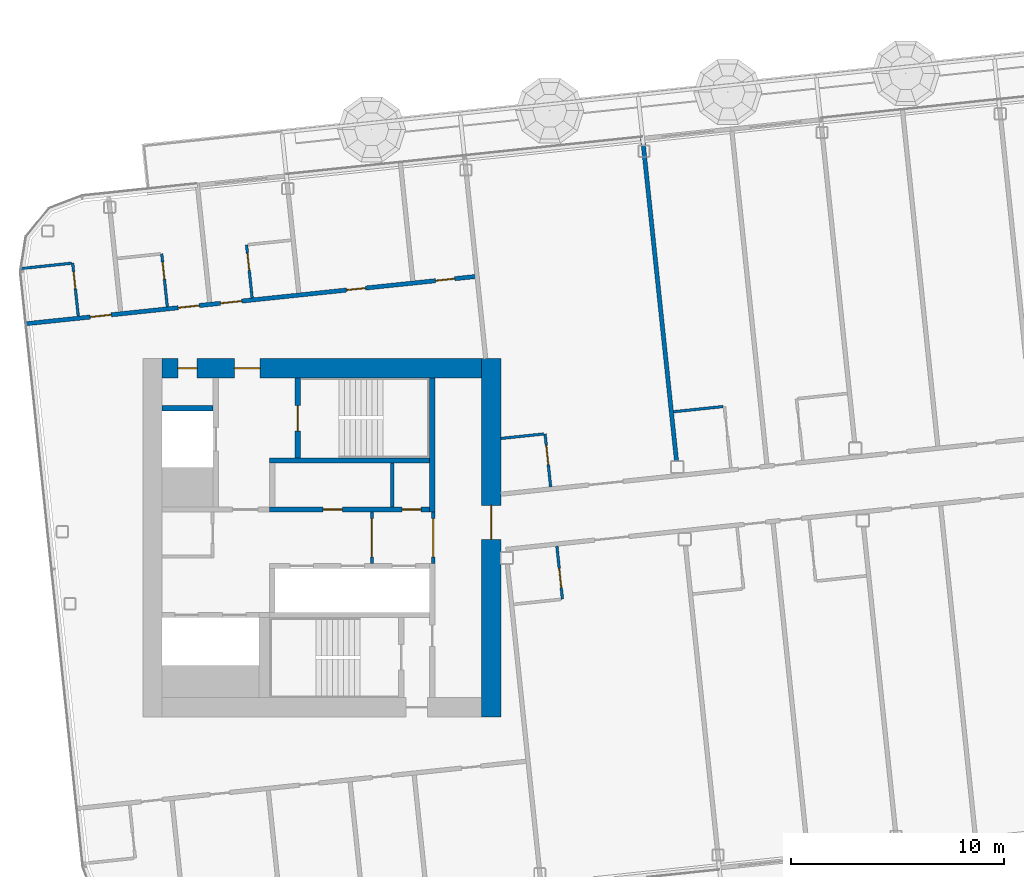
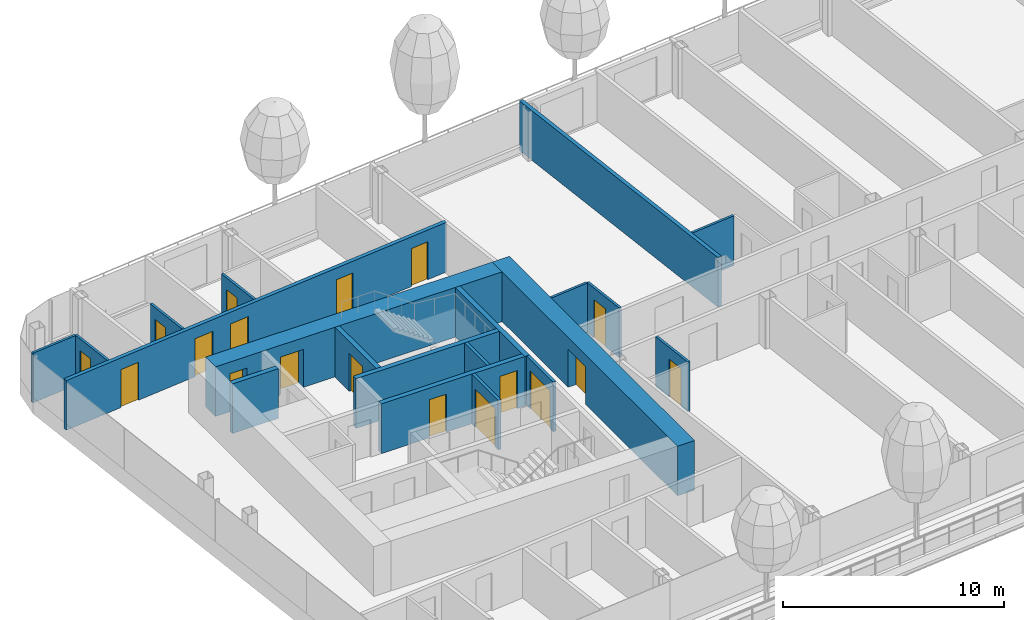
# One storey, part 13 of 30: 20 walls, 18 doors, 18 openings.
"""IFC4 building model written with IfcOpenShell, lengths in metres."""

from ifc_helpers import new_model, si_unit, direction, frame, frame_2d, origin, place, context, subcontext, project, spatial, rectangle, extrude, material, layer, layer_set, type_object, element, fill, save


model = new_model("IFC4")

# Units and contexts
model_context = context("Model", 3, precision=1e-05, world=origin(), true_north=direction((0.0, 1.0)))
body_context = subcontext(model_context, "Body", "Model", "MODEL_VIEW")
ifc_project = project(units=[si_unit("LENGTHUNIT", "METRE"), si_unit("AREAUNIT", "SQUARE_METRE"), si_unit("VOLUMEUNIT", "CUBIC_METRE"), si_unit("PLANEANGLEUNIT", "RADIAN"), si_unit("MASSUNIT", "GRAM", prefix="KILO")], contexts=[model_context])

# Site, building, storey
site_placement = place(None, origin())
site = spatial("IfcSite", under=ifc_project, at=site_placement, CompositionType="ELEMENT")
building_placement = place(site_placement, origin())
building = spatial("IfcBuilding", under=site, at=building_placement, Name="Hakoniwa Tower and Hamabe Station Hall", CompositionType="ELEMENT")
storey_placement = place(building_placement, frame((0.0, 0.0, 245.39990234375)))
storey = spatial("IfcBuildingStorey", under=building, at=storey_placement, Name="L69", CompositionType="ELEMENT", Elevation=245.39990234375)

# Walls
ifc_material_1 = material(Name="Gypsum board partition", Category="gypsum")
ifc_layer_1 = layer(ifc_material_1, 0.125)
ifc_layer_set_1 = layer_set([ifc_layer_1], Name="Bathroom Partition 125")
wall_type_1 = type_object("IfcWallType", Name="Bathroom Partition 125", PredefinedType="PARTITIONING", material=ifc_layer_set_1)
wall_1_placement = place(storey_placement, frame((-8.7041015625, 5.908935546875, 0.0), z_axis=(0.0, 0.0, 1.0), x_axis=(0.994530605544, 0.104445558238, 0.0)))
element("IfcWall", 1, at=wall_1_placement, inside=storey, type_object=wall_type_1, Name="GW-L69-011", PredefinedType="PARTITIONING", context=body_context, shape_type="SweptSolid", body=[
    extrude(rectangle(XDim=2.33740234375, YDim=0.125, at=frame_2d((1.168701171875, 0.0))), origin(), (0.0, 0.0, 1.0), 2.75),
])
wall_2_placement = place(storey_placement, frame((-39.336181640625, 12.62353515625, 0.0), z_axis=(0.0, 0.0, 1.0), x_axis=(0.994528281662, 0.104467683877, 0.0)))
element("IfcWall", 2, at=wall_2_placement, inside=storey, type_object=wall_type_1, Name="GW-L69-018", PredefinedType="PARTITIONING", context=body_context, shape_type="SweptSolid", body=[
    extrude(rectangle(XDim=2.400146484375, YDim=0.125, at=frame_2d((1.2001953125, 0.0))), origin(), (0.0, 0.0, 1.0), 2.75),
])

# Wall, opening, door
wall_3_placement = place(storey_placement, frame((-36.625732421875, 10.39453125, 0.0), z_axis=(0.0, 0.0, 1.0), x_axis=(-0.104588199498, 0.994515615024, 0.0)))
wall_3 = element("IfcWall", 3, at=wall_3_placement, inside=storey, type_object=wall_type_1, Name="GW-L69-022", PredefinedType="PARTITIONING", context=body_context, shape_type="SweptSolid", body=[
    extrude(rectangle(XDim=2.5, YDim=0.125, at=frame_2d((1.25, 0.0))), origin(), (0.0, 0.0, 1.0), 2.75),
])
opening_1_placement = place(wall_3_placement, frame((1.300048828125, 0.0, 0.0)))
opening_1 = element("IfcOpeningElement", 4, at=opening_1_placement, cuts=wall_3, Name="Opening GD-G5C0-30", PredefinedType="OPENING", context=body_context, shape_type="SweptSolid", body=[
    extrude(rectangle(XDim=0.800048828125, YDim=2.10009765625, at=frame_2d((0.39990234375, 1.050048828125))), frame((0.0, 0.072509765625, 0.0), z_axis=(0.0, -1.0, 0.0), x_axis=(1.0, 0.0, 0.0)), (0.0, 0.0, 1.0), 0.14501953125),
])
ifc_material_2 = material(Name="Timber door leaf", Category="wood")
door_type_1 = type_object("IfcDoorType", Name="Bathroom Door 800", OperationType="SINGLE_SWING_LEFT", PredefinedType="DOOR", material=ifc_material_2)
door_1_placement = place(opening_1_placement, origin())
door_1 = element("IfcDoor", 5, at=door_1_placement, inside=storey, type_object=door_type_1, Name="Door GD-G5C0-30", OperationType="SINGLE_SWING_LEFT", OverallHeight=2.10009765625, OverallWidth=0.800048828125, PredefinedType="DOOR", context=body_context, shape_type="SweptSolid", body=[
    extrude(rectangle(XDim=0.800048828125, YDim=2.10009765625, at=frame_2d((0.39990234375, 1.050048828125))), frame((0.0, 0.02490234375, 0.0), z_axis=(0.0, -1.0, 0.0), x_axis=(1.0, 0.0, 0.0)), (0.0, 0.0, 1.0), 0.050048828125),
])
fill(opening_1, door_1)

wall_4_placement = place(storey_placement, frame((-32.448974609375, 10.833740234375, 0.0), z_axis=(0.0, 0.0, 1.0), x_axis=(-0.104501760842, 0.994524701544, 0.0)))
wall_4 = element("IfcWall", 6, at=wall_4_placement, inside=storey, type_object=wall_type_1, Name="GW-L69-025", PredefinedType="PARTITIONING", context=body_context, shape_type="SweptSolid", body=[
    extrude(rectangle(XDim=2.499755859375, YDim=0.125, at=frame_2d((1.25, 0.0))), origin(), (0.0, 0.0, 1.0), 2.75),
])
opening_2_placement = place(wall_4_placement, frame((1.300048828125, 0.0, 0.0)))
opening_2 = element("IfcOpeningElement", 7, at=opening_2_placement, cuts=wall_4, Name="Opening GD-G5C0-31", PredefinedType="OPENING", context=body_context, shape_type="SweptSolid", body=[
    extrude(rectangle(XDim=0.800048828125, YDim=2.10009765625, at=frame_2d((0.39990234375, 1.050048828125))), frame((0.0, 0.072509765625, 0.0), z_axis=(0.0, -1.0, 0.0), x_axis=(1.0, 0.0, 0.0)), (0.0, 0.0, 1.0), 0.14501953125),
])
door_2_placement = place(opening_2_placement, origin())
door_2 = element("IfcDoor", 8, at=door_2_placement, inside=storey, type_object=door_type_1, Name="Door GD-G5C0-31", OperationType="SINGLE_SWING_LEFT", OverallHeight=2.10009765625, OverallWidth=0.800048828125, PredefinedType="DOOR", context=body_context, shape_type="SweptSolid", body=[
    extrude(rectangle(XDim=0.800048828125, YDim=2.10009765625, at=frame_2d((0.39990234375, 1.050048828125))), frame((0.0, 0.02490234375, 0.0), z_axis=(0.0, -1.0, 0.0), x_axis=(1.0, 0.0, 0.0)), (0.0, 0.0, 1.0), 0.050048828125),
])
fill(opening_2, door_2)

wall_5_placement = place(storey_placement, frame((-28.470703125, 11.251708984375, 0.0), z_axis=(0.0, 0.0, 1.0), x_axis=(-0.104588199498, 0.994515615024, 0.0)))
wall_5 = element("IfcWall", 9, at=wall_5_placement, inside=storey, type_object=wall_type_1, Name="GW-L69-028", PredefinedType="PARTITIONING", context=body_context, shape_type="SweptSolid", body=[
    extrude(rectangle(XDim=2.5, YDim=0.125, at=frame_2d((1.25, 0.0))), origin(), (0.0, 0.0, 1.0), 2.75),
])
opening_3_placement = place(wall_5_placement, frame((1.300048828125, 0.0, 0.0)))
opening_3 = element("IfcOpeningElement", 10, at=opening_3_placement, cuts=wall_5, Name="Opening GD-G5C0-32", PredefinedType="OPENING", context=body_context, shape_type="SweptSolid", body=[
    extrude(rectangle(XDim=0.800048828125, YDim=2.10009765625, at=frame_2d((0.39990234375, 1.050048828125))), frame((0.0, 0.072509765625, 0.0), z_axis=(0.0, -1.0, 0.0), x_axis=(1.0, 0.0, 0.0)), (0.0, 0.0, 1.0), 0.14501953125),
])
door_3_placement = place(opening_3_placement, origin())
door_3 = element("IfcDoor", 11, at=door_3_placement, inside=storey, type_object=door_type_1, Name="Door GD-G5C0-32", OperationType="SINGLE_SWING_RIGHT", OverallHeight=2.10009765625, OverallWidth=0.800048828125, PredefinedType="DOOR", context=body_context, shape_type="SweptSolid", body=[
    extrude(rectangle(XDim=0.800048828125, YDim=2.10009765625, at=frame_2d((0.39990234375, 1.050048828125))), frame((0.0, 0.02490234375, 0.0), z_axis=(0.0, -1.0, 0.0), x_axis=(1.0, 0.0, 0.0)), (0.0, 0.0, 1.0), 0.050048828125),
])
fill(opening_3, door_3)

ifc_material_3 = material(Name="Gypsum board partition")
ifc_layer_2 = layer(ifc_material_3, 0.14990234375)
ifc_layer_set_2 = layer_set([ifc_layer_2], Name="CORE PARTITION 150 EI 60")
wall_type_2 = type_object("IfcWallType", Name="CORE PARTITION 150 EI 60", PredefinedType="PARTITIONING", material=ifc_layer_set_2)
wall_6_placement = place(storey_placement, frame((-19.97509765625, -1.199951171875, 0.0), z_axis=(0.0, 0.0, 1.0), x_axis=(0.0, 1.0, 0.0)))
wall_6 = element("IfcWall", 12, at=wall_6_placement, inside=storey, type_object=wall_type_2, Name="Core partition PL0 west", PredefinedType="PARTITIONING", context=body_context, shape_type="SweptSolid", body=[
    extrude(rectangle(XDim=2.39990234375, YDim=0.14990234375, at=frame_2d((1.199951171875, 0.0))), origin(), (0.0, 0.0, 1.0), 2.75),
])
opening_4_placement = place(wall_6_placement, frame((0.300048828125, 0.0, 0.0)))
opening_4 = element("IfcOpeningElement", 13, at=opening_4_placement, cuts=wall_6, Name="Opening CD-W-LP0-18", PredefinedType="OPENING", context=body_context, shape_type="SweptSolid", body=[
    extrude(rectangle(XDim=1.800048828125, YDim=2.10009765625, at=frame_2d((0.89990234375, 1.050048828125))), frame((0.0, 0.0849609375, 0.0), z_axis=(0.0, -1.0, 0.0), x_axis=(1.0, 0.0, 0.0)), (0.0, 0.0, 1.0), 0.169921875),
])
ifc_material_4 = material(Name="Steel fire door", Category="steel")
door_type_2 = type_object("IfcDoorType", Name="CORE DOOR 1800 FD60", OperationType="DOUBLE_DOOR_SINGLE_SWING", PredefinedType="DOOR", material=ifc_material_4)
door_4_placement = place(opening_4_placement, origin())
door_4 = element("IfcDoor", 14, at=door_4_placement, inside=storey, type_object=door_type_2, Name="Lift lobby partition door", OperationType="DOUBLE_DOOR_SINGLE_SWING", OverallHeight=2.10009765625, OverallWidth=1.800048828125, PredefinedType="DOOR", context=body_context, shape_type="SweptSolid", body=[
    extrude(rectangle(XDim=1.800048828125, YDim=2.10009765625, at=frame_2d((0.89990234375, 1.050048828125))), frame((0.0, 0.02490234375, 0.0), z_axis=(0.0, -1.0, 0.0), x_axis=(1.0, 0.0, 0.0)), (0.0, 0.0, 1.0), 0.050048828125),
])
fill(opening_4, door_4)

wall_7_placement = place(storey_placement, frame((-22.85009765625, -1.199951171875, 0.0), z_axis=(0.0, 0.0, 1.0), x_axis=(0.0, 1.0, 0.0)))
wall_7 = element("IfcWall", 15, at=wall_7_placement, inside=storey, type_object=wall_type_2, Name="Core partition PL1 west", PredefinedType="PARTITIONING", context=body_context, shape_type="SweptSolid", body=[
    extrude(rectangle(XDim=2.39990234375, YDim=0.14990234375, at=frame_2d((1.199951171875, 0.0))), origin(), (0.0, 0.0, 1.0), 2.75),
])
opening_5_placement = place(wall_7_placement, frame((0.300048828125, 0.0, 0.0)))
opening_5 = element("IfcOpeningElement", 16, at=opening_5_placement, cuts=wall_7, Name="Opening CD-W-LP1-18", PredefinedType="OPENING", context=body_context, shape_type="SweptSolid", body=[
    extrude(rectangle(XDim=1.800048828125, YDim=2.10009765625, at=frame_2d((0.89990234375, 1.050048828125))), frame((0.0, 0.0849609375, 0.0), z_axis=(0.0, -1.0, 0.0), x_axis=(1.0, 0.0, 0.0)), (0.0, 0.0, 1.0), 0.169921875),
])
door_5_placement = place(opening_5_placement, origin())
door_5 = element("IfcDoor", 17, at=door_5_placement, inside=storey, type_object=door_type_2, Name="Lift lobby partition door", OperationType="DOUBLE_DOOR_SINGLE_SWING", OverallHeight=2.10009765625, OverallWidth=1.800048828125, PredefinedType="DOOR", context=body_context, shape_type="SweptSolid", body=[
    extrude(rectangle(XDim=1.800048828125, YDim=2.10009765625, at=frame_2d((0.89990234375, 1.050048828125))), frame((0.0, 0.02490234375, 0.0), z_axis=(0.0, -1.0, 0.0), x_axis=(1.0, 0.0, 0.0)), (0.0, 0.0, 1.0), 0.050048828125),
])
fill(opening_5, door_5)

# Wall
wall_8_placement = place(storey_placement, frame((-21.89990234375, 1.449951171875, 0.0), z_axis=(0.0, 0.0, 1.0), x_axis=(0.0, 1.0, 0.0)))
element("IfcWall", 18, at=wall_8_placement, inside=storey, type_object=wall_type_2, Name="Core partition PFLR0 west", PredefinedType="PARTITIONING", context=body_context, shape_type="SweptSolid", body=[
    extrude(rectangle(XDim=2.050048828125, YDim=0.14990234375, at=frame_2d((1.02490234375, 0.0))), origin(), (0.0, 0.0, 1.0), 2.75),
])

# Wall, opening, door
ifc_material_5 = material(Name="Concrete C60", Category="concrete")
ifc_layer_3 = layer(ifc_material_5, 0.89990234375)
ifc_layer_set_3 = layer_set([ifc_layer_3], Name="CORE WALL 900 C60")
wall_type_3 = type_object("IfcWallType", Name="CORE WALL 900 C60", PredefinedType="SHEAR", material=ifc_layer_set_3)
wall_9_placement = place(storey_placement, frame((-17.25, -8.39990234375, 0.0), z_axis=(0.0, 0.0, 1.0), x_axis=(0.0, 1.0, 0.0)))
wall_9 = element("IfcWall", 19, at=wall_9_placement, inside=storey, type_object=wall_type_3, Name="Core wall INNER west", PredefinedType="SHEAR", context=body_context, shape_type="SweptSolid", body=[
    extrude(rectangle(XDim=16.7998046875, YDim=0.89990234375, at=frame_2d((8.39990234375, 0.0))), origin(), (0.0, 0.0, 1.0), 2.75),
])
opening_6_placement = place(wall_9_placement, frame((8.321044921875, 0.0, 0.0)))
opening_6 = element("IfcOpeningElement", 20, at=opening_6_placement, cuts=wall_9, Name="Opening CD-W-IN1-16", PredefinedType="OPENING", context=body_context, shape_type="SweptSolid", body=[
    extrude(rectangle(XDim=1.60009765625, YDim=2.10009765625, at=frame_2d((0.800048828125, 1.050048828125))), frame((0.0, 0.4599609375, 0.0), z_axis=(0.0, -1.0, 0.0), x_axis=(1.0, 0.0, 0.0)), (0.0, 0.0, 1.0), 0.919921875),
])
ifc_material_6 = material(Name="Steel fire door", Category="steel")
door_type_3 = type_object("IfcDoorType", Name="CORE DOOR 1600 FD60", OperationType="DOUBLE_DOOR_SINGLE_SWING", PredefinedType="DOOR", material=ifc_material_6)
door_6_placement = place(opening_6_placement, origin())
door_6 = element("IfcDoor", 21, at=door_6_placement, inside=storey, type_object=door_type_3, Name="Lift lobby door", OperationType="DOUBLE_DOOR_SINGLE_SWING", OverallHeight=2.10009765625, OverallWidth=1.60009765625, PredefinedType="DOOR", context=body_context, shape_type="SweptSolid", body=[
    extrude(rectangle(XDim=1.60009765625, YDim=2.10009765625, at=frame_2d((0.800048828125, 1.050048828125))), frame((0.0, 0.02490234375, 0.0), z_axis=(0.0, -1.0, 0.0), x_axis=(1.0, 0.0, 0.0)), (0.0, 0.0, 1.0), 0.050048828125),
])
fill(opening_6, door_6)

# Wall, openings, doors
wall_10_placement = place(storey_placement, frame((-32.699951171875, 7.949951171875, 0.0), z_axis=(0.0, 0.0, 1.0), x_axis=(1.0, 0.0, 0.0)))
wall_10 = element("IfcWall", 22, at=wall_10_placement, inside=storey, type_object=wall_type_3, Name="Core wall NORTH west", PredefinedType="SHEAR", context=body_context, shape_type="SweptSolid", body=[
    extrude(rectangle(XDim=15.0, YDim=0.89990234375, at=frame_2d((7.5, 0.0))), origin(), (0.0, 0.0, 1.0), 2.75),
])
opening_7_placement = place(wall_10_placement, frame((3.39990234375, 0.0, 0.0)))
opening_7 = element("IfcOpeningElement", 23, at=opening_7_placement, cuts=wall_10, Name="Opening CD-W-FN1-12", PredefinedType="OPENING", context=body_context, shape_type="SweptSolid", body=[
    extrude(rectangle(XDim=1.199951171875, YDim=2.10009765625, at=frame_2d((0.60009765625, 1.050048828125))), frame((0.0, 0.4599609375, 0.0), z_axis=(0.0, -1.0, 0.0), x_axis=(1.0, 0.0, 0.0)), (0.0, 0.0, 1.0), 0.919921875),
])
opening_8_placement = place(wall_10_placement, frame((0.75, 0.0, 0.0)))
opening_8 = element("IfcOpeningElement", 24, at=opening_8_placement, cuts=wall_10, Name="Opening CD-W-FN2-9", PredefinedType="OPENING", context=body_context, shape_type="SweptSolid", body=[
    extrude(rectangle(XDim=0.89990234375, YDim=2.10009765625, at=frame_2d((0.449951171875, 1.050048828125))), frame((0.0, 0.4599609375, 0.0), z_axis=(0.0, -1.0, 0.0), x_axis=(1.0, 0.0, 0.0)), (0.0, 0.0, 1.0), 0.919921875),
])
ifc_material_7 = material(Name="Steel fire door", Category="steel")
door_type_4 = type_object("IfcDoorType", Name="CORE DOOR 1200 FD60", OperationType="DOUBLE_DOOR_SINGLE_SWING", PredefinedType="DOOR", material=ifc_material_7)
door_7_placement = place(opening_7_placement, origin())
door_7 = element("IfcDoor", 25, at=door_7_placement, inside=storey, type_object=door_type_4, Name="Stair vestibule door to the fire-fighting lobby", OperationType="DOUBLE_DOOR_SINGLE_SWING", OverallHeight=2.10009765625, OverallWidth=1.199951171875, PredefinedType="DOOR", context=body_context, shape_type="SweptSolid", body=[
    extrude(rectangle(XDim=1.199951171875, YDim=2.10009765625, at=frame_2d((0.60009765625, 1.050048828125))), frame((0.0, 0.02490234375, 0.0), z_axis=(0.0, -1.0, 0.0), x_axis=(1.0, 0.0, 0.0)), (0.0, 0.0, 1.0), 0.050048828125),
])
fill(opening_7, door_7)
ifc_material_8 = material(Name="Steel fire door", Category="steel")
door_type_5 = type_object("IfcDoorType", Name="CORE DOOR 900 FD30", OperationType="NOTDEFINED", PredefinedType="DOOR", material=ifc_material_8)
door_8_placement = place(opening_8_placement, origin())
door_8 = element("IfcDoor", 26, at=door_8_placement, inside=storey, type_object=door_type_5, Name="Riser access door", OperationType="SINGLE_SWING_LEFT", OverallHeight=2.10009765625, OverallWidth=0.89990234375, PredefinedType="DOOR", context=body_context, shape_type="SweptSolid", body=[
    extrude(rectangle(XDim=0.89990234375, YDim=2.10009765625, at=frame_2d((0.449951171875, 1.050048828125))), frame((0.0, 0.02490234375, 0.0), z_axis=(0.0, -1.0, 0.0), x_axis=(1.0, 0.0, 0.0)), (0.0, 0.0, 1.0), 0.050048828125),
])
fill(opening_8, door_8)

# Wall
ifc_material_9 = material(Name="Concrete C60", Category="concrete")
ifc_layer_4 = layer(ifc_material_9, 0.25)
ifc_layer_set_4 = layer_set([ifc_layer_4], Name="CORE WEB WALL 250 C60")
wall_type_4 = type_object("IfcWallType", Name="CORE WEB WALL 250 C60", PredefinedType="SHEAR", material=ifc_layer_set_4)
wall_11_placement = place(storey_placement, frame((-20.02490234375, 1.199951171875, 0.0), z_axis=(0.0, 0.0, 1.0), x_axis=(0.0, 1.0, 0.0)))
element("IfcWall", 27, at=wall_11_placement, inside=storey, type_object=wall_type_4, Name="Core wall W1N west", PredefinedType="SHEAR", context=body_context, shape_type="SweptSolid", body=[
    extrude(rectangle(XDim=6.300048828125, YDim=0.25, at=frame_2d((3.14990234375, 0.0))), origin(), (0.0, 0.0, 1.0), 2.75),
])

# Wall, openings, doors
wall_12_placement = place(storey_placement, frame((-27.64990234375, 1.324951171875, 0.0), z_axis=(0.0, 0.0, 1.0), x_axis=(1.0, 0.0, 0.0)))
wall_12 = element("IfcWall", 28, at=wall_12_placement, inside=storey, type_object=wall_type_4, Name="Core wall NF west", PredefinedType="SHEAR", context=body_context, shape_type="SweptSolid", body=[
    extrude(rectangle(XDim=7.5, YDim=0.25, at=frame_2d((3.75, 0.0))), origin(), (0.0, 0.0, 1.0), 2.75),
])
opening_9_placement = place(wall_12_placement, frame((6.21240234375, 0.0, 0.0)))
opening_9 = element("IfcOpeningElement", 29, at=opening_9_placement, cuts=wall_12, Name="Opening CD-W-FRLR0-9", PredefinedType="OPENING", context=body_context, shape_type="SweptSolid", body=[
    extrude(rectangle(XDim=0.89990234375, YDim=2.10009765625, at=frame_2d((0.449951171875, 1.050048828125))), frame((0.0, 0.135009765625, 0.0), z_axis=(0.0, -1.0, 0.0), x_axis=(1.0, 0.0, 0.0)), (0.0, 0.0, 1.0), 0.27001953125),
])
opening_10_placement = place(wall_12_placement, frame((2.512451171875, 0.0, 0.0)))
opening_10 = element("IfcOpeningElement", 30, at=opening_10_placement, cuts=wall_12, Name="Opening CD-W-FRLR1-9", PredefinedType="OPENING", context=body_context, shape_type="SweptSolid", body=[
    extrude(rectangle(XDim=0.89990234375, YDim=2.10009765625, at=frame_2d((0.449951171875, 1.050048828125))), frame((0.0, 0.135009765625, 0.0), z_axis=(0.0, -1.0, 0.0), x_axis=(1.0, 0.0, 0.0)), (0.0, 0.0, 1.0), 0.27001953125),
])
door_9_placement = place(opening_9_placement, origin())
door_9 = element("IfcDoor", 31, at=door_9_placement, inside=storey, type_object=door_type_5, Name="Store room door", OperationType="SINGLE_SWING_RIGHT", OverallHeight=2.10009765625, OverallWidth=0.89990234375, PredefinedType="DOOR", context=body_context, shape_type="SweptSolid", body=[
    extrude(rectangle(XDim=0.89990234375, YDim=2.10009765625, at=frame_2d((0.449951171875, 1.050048828125))), frame((0.0, 0.02490234375, 0.0), z_axis=(0.0, -1.0, 0.0), x_axis=(1.0, 0.0, 0.0)), (0.0, 0.0, 1.0), 0.050048828125),
])
fill(opening_9, door_9)
door_10_placement = place(opening_10_placement, origin())
door_10 = element("IfcDoor", 32, at=door_10_placement, inside=storey, type_object=door_type_5, Name="Store room door", OperationType="SINGLE_SWING_LEFT", OverallHeight=2.10009765625, OverallWidth=0.89990234375, PredefinedType="DOOR", context=body_context, shape_type="SweptSolid", body=[
    extrude(rectangle(XDim=0.89990234375, YDim=2.10009765625, at=frame_2d((0.449951171875, 1.050048828125))), frame((0.0, 0.02490234375, 0.0), z_axis=(0.0, -1.0, 0.0), x_axis=(1.0, 0.0, 0.0)), (0.0, 0.0, 1.0), 0.050048828125),
])
fill(opening_10, door_10)

# Wall
wall_13_placement = place(storey_placement, frame((-27.64990234375, 3.625, 0.0), z_axis=(0.0, 0.0, 1.0), x_axis=(1.0, 0.0, 0.0)))
element("IfcWall", 33, at=wall_13_placement, inside=storey, type_object=wall_type_4, Name="Core wall NR west", PredefinedType="SHEAR", context=body_context, shape_type="SweptSolid", body=[
    extrude(rectangle(XDim=7.5, YDim=0.25, at=frame_2d((3.75, 0.0))), origin(), (0.0, 0.0, 1.0), 2.75),
])

# Wall, opening, door
wall_14_placement = place(storey_placement, frame((-26.324951171875, 3.75, 0.0), z_axis=(0.0, 0.0, 1.0), x_axis=(0.0, 1.0, 0.0)))
wall_14 = element("IfcWall", 34, at=wall_14_placement, inside=storey, type_object=wall_type_4, Name="Core wall NSE west", PredefinedType="SHEAR", context=body_context, shape_type="SweptSolid", body=[
    extrude(rectangle(XDim=3.75, YDim=0.25, at=frame_2d((1.875, 0.0))), origin(), (0.0, 0.0, 1.0), 2.75),
])
opening_11_placement = place(wall_14_placement, frame((1.25, 0.0, 0.0)))
opening_11 = element("IfcOpeningElement", 35, at=opening_11_placement, cuts=wall_14, Name="Opening CD-W-SN-12", PredefinedType="OPENING", context=body_context, shape_type="SweptSolid", body=[
    extrude(rectangle(XDim=1.199951171875, YDim=2.10009765625, at=frame_2d((0.60009765625, 1.050048828125))), frame((0.0, 0.135009765625, 0.0), z_axis=(0.0, -1.0, 0.0), x_axis=(1.0, 0.0, 0.0)), (0.0, 0.0, 1.0), 0.27001953125),
])
door_11_placement = place(opening_11_placement, origin())
door_11 = element("IfcDoor", 36, at=door_11_placement, inside=storey, type_object=door_type_4, Name="Escape stair door", OperationType="DOUBLE_DOOR_SINGLE_SWING", OverallHeight=2.10009765625, OverallWidth=1.199951171875, PredefinedType="DOOR", context=body_context, shape_type="SweptSolid", body=[
    extrude(rectangle(XDim=1.199951171875, YDim=2.10009765625, at=frame_2d((0.60009765625, 1.050048828125))), frame((0.0, 0.02490234375, 0.0), z_axis=(0.0, -1.0, 0.0), x_axis=(1.0, 0.0, 0.0)), (0.0, 0.0, 1.0), 0.050048828125),
])
fill(opening_11, door_11)

# Wall
wall_15_placement = place(storey_placement, frame((-32.699951171875, 6.074951171875, 0.0), z_axis=(0.0, 0.0, 1.0), x_axis=(1.0, 0.0, 0.0)))
element("IfcWall", 37, at=wall_15_placement, inside=storey, type_object=wall_type_4, Name="Core wall C2 west", PredefinedType="SHEAR", context=body_context, shape_type="SweptSolid", body=[
    extrude(rectangle(XDim=2.39990234375, YDim=0.25, at=frame_2d((1.199951171875, 0.0))), origin(), (0.0, 0.0, 1.0), 2.75),
])

# Wall, openings, doors
ifc_material_10 = material(Name="Fire-rated gypsum board partition", Category="gypsum")
ifc_layer_5 = layer(ifc_material_10, 0.199951171875)
ifc_layer_set_5 = layer_set([ifc_layer_5], Name="Corridor Wall 200")
wall_type_5 = type_object("IfcWallType", Name="Corridor Wall 200", PredefinedType="PARTITIONING", material=ifc_layer_set_5)
wall_16_placement = place(storey_placement, frame((-39.101806640625, 10.033935546875, 0.0), z_axis=(0.0, 0.0, 1.0), x_axis=(0.994522585465, 0.104521897229, 0.0)))
wall_16 = element("IfcWall", 38, at=wall_16_placement, inside=storey, type_object=wall_type_5, Name="GW-L69-017", PredefinedType="PARTITIONING", context=body_context, shape_type="SweptSolid", body=[
    extrude(rectangle(XDim=21.300048828125, YDim=0.199951171875, at=frame_2d((10.64990234375, 0.0))), origin(), (0.0, 0.0, 1.0), 2.75),
])
opening_12_placement = place(wall_16_placement, frame((3.050048828125, 0.0, 0.0)))
opening_12 = element("IfcOpeningElement", 39, at=opening_12_placement, cuts=wall_16, Name="Opening GD-G5C0-24", PredefinedType="OPENING", context=body_context, shape_type="SweptSolid", body=[
    extrude(rectangle(XDim=1.0, YDim=2.10009765625, at=frame_2d((0.5, 1.050048828125))), frame((0.0, 0.10986328125, 0.0), z_axis=(0.0, -1.0, 0.0), x_axis=(1.0, 0.0, 0.0)), (0.0, 0.0, 1.0), 0.219970703125),
])
opening_13_placement = place(wall_16_placement, frame((7.199951171875, 0.0, 0.0)))
opening_13 = element("IfcOpeningElement", 40, at=opening_13_placement, cuts=wall_16, Name="Opening GD-G5C0-25", PredefinedType="OPENING", context=body_context, shape_type="SweptSolid", body=[
    extrude(rectangle(XDim=1.0, YDim=2.10009765625, at=frame_2d((0.5, 1.050048828125))), frame((0.0, 0.10986328125, 0.0), z_axis=(0.0, -1.0, 0.0), x_axis=(1.0, 0.0, 0.0)), (0.0, 0.0, 1.0), 0.219970703125),
])
opening_14_placement = place(wall_16_placement, frame((9.199951171875, 0.0, 0.0)))
opening_14 = element("IfcOpeningElement", 41, at=opening_14_placement, cuts=wall_16, Name="Opening GD-G5C0-26", PredefinedType="OPENING", context=body_context, shape_type="SweptSolid", body=[
    extrude(rectangle(XDim=1.0, YDim=2.10009765625, at=frame_2d((0.5, 1.050048828125))), frame((0.0, 0.10986328125, 0.0), z_axis=(0.0, -1.0, 0.0), x_axis=(1.0, 0.0, 0.0)), (0.0, 0.0, 1.0), 0.219970703125),
])
opening_15_placement = place(wall_16_placement, frame((15.139892578125, 0.0, 0.0)))
opening_15 = element("IfcOpeningElement", 42, at=opening_15_placement, cuts=wall_16, Name="Opening GD-G5C0-27", PredefinedType="OPENING", context=body_context, shape_type="SweptSolid", body=[
    extrude(rectangle(XDim=0.89990234375, YDim=2.10009765625, at=frame_2d((0.449951171875, 1.050048828125))), frame((0.0, 0.10986328125, 0.0), z_axis=(0.0, -1.0, 0.0), x_axis=(1.0, 0.0, 0.0)), (0.0, 0.0, 1.0), 0.219970703125),
])
opening_16_placement = place(wall_16_placement, frame((19.340087890625, 0.0, 0.0)))
opening_16 = element("IfcOpeningElement", 43, at=opening_16_placement, cuts=wall_16, Name="Opening GD-G5C0-28", PredefinedType="OPENING", context=body_context, shape_type="SweptSolid", body=[
    extrude(rectangle(XDim=0.89990234375, YDim=2.10009765625, at=frame_2d((0.449951171875, 1.050048828125))), frame((0.0, 0.10986328125, 0.0), z_axis=(0.0, -1.0, 0.0), x_axis=(1.0, 0.0, 0.0)), (0.0, 0.0, 1.0), 0.219970703125),
])
ifc_material_11 = material(Name="Timber door leaf", Category="wood")
door_type_6 = type_object("IfcDoorType", Name="Guest Entrance Door 1000", OperationType="SINGLE_SWING_LEFT", PredefinedType="DOOR", material=ifc_material_11)
door_12_placement = place(opening_12_placement, origin())
door_12 = element("IfcDoor", 44, at=door_12_placement, inside=storey, type_object=door_type_6, Name="Door GD-G5C0-24", OperationType="SINGLE_SWING_LEFT", OverallHeight=2.10009765625, OverallWidth=1.0, PredefinedType="DOOR", context=body_context, shape_type="SweptSolid", body=[
    extrude(rectangle(XDim=1.0, YDim=2.10009765625, at=frame_2d((0.5, 1.050048828125))), frame((0.0, 0.02490234375, 0.0), z_axis=(0.0, -1.0, 0.0), x_axis=(1.0, 0.0, 0.0)), (0.0, 0.0, 1.0), 0.050048828125),
])
fill(opening_12, door_12)
door_13_placement = place(opening_13_placement, origin())
door_13 = element("IfcDoor", 45, at=door_13_placement, inside=storey, type_object=door_type_6, Name="Door GD-G5C0-25", OperationType="SINGLE_SWING_LEFT", OverallHeight=2.10009765625, OverallWidth=1.0, PredefinedType="DOOR", context=body_context, shape_type="SweptSolid", body=[
    extrude(rectangle(XDim=1.0, YDim=2.10009765625, at=frame_2d((0.5, 1.050048828125))), frame((0.0, 0.02490234375, 0.0), z_axis=(0.0, -1.0, 0.0), x_axis=(1.0, 0.0, 0.0)), (0.0, 0.0, 1.0), 0.050048828125),
])
fill(opening_13, door_13)
door_14_placement = place(opening_14_placement, origin())
door_14 = element("IfcDoor", 46, at=door_14_placement, inside=storey, type_object=door_type_6, Name="Door GD-G5C0-26", OperationType="SINGLE_SWING_RIGHT", OverallHeight=2.10009765625, OverallWidth=1.0, PredefinedType="DOOR", context=body_context, shape_type="SweptSolid", body=[
    extrude(rectangle(XDim=1.0, YDim=2.10009765625, at=frame_2d((0.5, 1.050048828125))), frame((0.0, 0.02490234375, 0.0), z_axis=(0.0, -1.0, 0.0), x_axis=(1.0, 0.0, 0.0)), (0.0, 0.0, 1.0), 0.050048828125),
])
fill(opening_14, door_14)
ifc_material_12 = material(Name="Timber door leaf", Category="wood")
door_type_7 = type_object("IfcDoorType", Name="Service Door 900", OperationType="SINGLE_SWING_LEFT", PredefinedType="DOOR", material=ifc_material_12)
door_15_placement = place(opening_15_placement, origin())
door_15 = element("IfcDoor", 47, at=door_15_placement, inside=storey, type_object=door_type_7, Name="Door GD-G5C0-27", OperationType="SINGLE_SWING_LEFT", OverallHeight=2.10009765625, OverallWidth=0.89990234375, PredefinedType="DOOR", context=body_context, shape_type="SweptSolid", body=[
    extrude(rectangle(XDim=0.89990234375, YDim=2.10009765625, at=frame_2d((0.449951171875, 1.050048828125))), frame((0.0, 0.02490234375, 0.0), z_axis=(0.0, -1.0, 0.0), x_axis=(1.0, 0.0, 0.0)), (0.0, 0.0, 1.0), 0.050048828125),
])
fill(opening_15, door_15)
door_16_placement = place(opening_16_placement, origin())
door_16 = element("IfcDoor", 48, at=door_16_placement, inside=storey, type_object=door_type_7, Name="Door GD-G5C0-28", OperationType="SINGLE_SWING_RIGHT", OverallHeight=2.10009765625, OverallWidth=0.89990234375, PredefinedType="DOOR", context=body_context, shape_type="SweptSolid", body=[
    extrude(rectangle(XDim=0.89990234375, YDim=2.10009765625, at=frame_2d((0.449951171875, 1.050048828125))), frame((0.0, 0.02490234375, 0.0), z_axis=(0.0, -1.0, 0.0), x_axis=(1.0, 0.0, 0.0)), (0.0, 0.0, 1.0), 0.050048828125),
])
fill(opening_16, door_16)

# Walls
ifc_material_13 = material(Name="Fire-rated gypsum board partition", Category="gypsum")
ifc_layer_6 = layer(ifc_material_13, 0.199951171875)
ifc_layer_set_6 = layer_set([ifc_layer_6], Name="Party Wall 200")
wall_type_6 = type_object("IfcWallType", Name="Party Wall 200", PredefinedType="PARTITIONING", material=ifc_layer_set_6)
wall_17_placement = place(storey_placement, frame((-8.562255859375, 3.6025390625, 0.0), z_axis=(0.0, 0.0, 1.0), x_axis=(-0.104523729364, 0.99452239291, 0.0)))
element("IfcWall", 49, at=wall_17_placement, inside=storey, type_object=wall_type_6, Name="GW-L69-038", PredefinedType="PARTITIONING", context=body_context, shape_type="SweptSolid", body=[
    extrude(rectangle(XDim=15.308349609375, YDim=0.199951171875, at=frame_2d((7.654296875, 0.0))), origin(), (0.0, 0.0, 1.0), 2.75),
])
ifc_material_14 = material(Name="Gypsum board partition", Category="gypsum")
ifc_layer_7 = layer(ifc_material_14, 0.125)
ifc_layer_set_7 = layer_set([ifc_layer_7], Name="Room Partition 125")
wall_type_7 = type_object("IfcWallType", Name="Room Partition 125", PredefinedType="PARTITIONING", material=ifc_layer_set_7)
wall_18_placement = place(storey_placement, frame((-16.804931640625, 4.6552734375, 0.0), z_axis=(0.0, 0.0, 1.0), x_axis=(0.994521955988, 0.104527886512, 0.0)))
element("IfcWall", 50, at=wall_18_placement, inside=storey, type_object=wall_type_7, Name="GW-L69-009", PredefinedType="PARTITIONING", context=body_context, shape_type="SweptSolid", body=[
    extrude(rectangle(XDim=2.02490234375, YDim=0.125, at=frame_2d((1.012451171875, 0.0))), origin(), (0.0, 0.0, 1.0), 2.75),
])

# Wall, opening, door
wall_19_placement = place(storey_placement, frame((-13.91357421875, -2.8837890625, 0.0), z_axis=(0.0, 0.0, 1.0), x_axis=(-0.104491611519, 0.994525767953, 0.0)))
wall_19 = element("IfcWall", 51, at=wall_19_placement, inside=storey, type_object=wall_type_7, Name="GW-L69-035", PredefinedType="PARTITIONING", context=body_context, shape_type="SweptSolid", body=[
    extrude(rectangle(XDim=2.5, YDim=0.125, at=frame_2d((1.25, 0.0))), origin(), (0.0, 0.0, 1.0), 2.75),
])
opening_17_placement = place(wall_19_placement, frame((0.550048828125, 0.0, 0.0)))
opening_17 = element("IfcOpeningElement", 52, at=opening_17_placement, cuts=wall_19, Name="Opening GD-G5C0-33", PredefinedType="OPENING", context=body_context, shape_type="SweptSolid", body=[
    extrude(rectangle(XDim=0.89990234375, YDim=2.10009765625, at=frame_2d((0.449951171875, 1.050048828125))), frame((0.0, 0.072509765625, 0.0), z_axis=(0.0, -1.0, 0.0), x_axis=(1.0, 0.0, 0.0)), (0.0, 0.0, 1.0), 0.14501953125),
])
ifc_material_15 = material(Name="Timber door leaf", Category="wood")
door_type_8 = type_object("IfcDoorType", Name="Suite Interior Door 900", OperationType="SINGLE_SWING_LEFT", PredefinedType="DOOR", material=ifc_material_15)
door_17_placement = place(opening_17_placement, origin())
door_17 = element("IfcDoor", 53, at=door_17_placement, inside=storey, type_object=door_type_8, Name="Door GD-G5C0-33", OperationType="SINGLE_SWING_RIGHT", OverallHeight=2.10009765625, OverallWidth=0.89990234375, PredefinedType="DOOR", context=body_context, shape_type="SweptSolid", body=[
    extrude(rectangle(XDim=0.89990234375, YDim=2.10009765625, at=frame_2d((0.449951171875, 1.050048828125))), frame((0.0, 0.02490234375, 0.0), z_axis=(0.0, -1.0, 0.0), x_axis=(1.0, 0.0, 0.0)), (0.0, 0.0, 1.0), 0.050048828125),
])
fill(opening_17, door_17)

wall_20_placement = place(storey_placement, frame((-14.467529296875, 2.38720703125, 0.0), z_axis=(0.0, 0.0, 1.0), x_axis=(-0.104491611519, 0.994525767953, 0.0)))
wall_20 = element("IfcWall", 54, at=wall_20_placement, inside=storey, type_object=wall_type_7, Name="GW-L69-036", PredefinedType="PARTITIONING", context=body_context, shape_type="SweptSolid", body=[
    extrude(rectangle(XDim=2.5, YDim=0.125, at=frame_2d((1.25, 0.0))), origin(), (0.0, 0.0, 1.0), 2.75),
])
opening_18_placement = place(wall_20_placement, frame((1.050048828125, 0.0, 0.0)))
opening_18 = element("IfcOpeningElement", 55, at=opening_18_placement, cuts=wall_20, Name="Opening GD-G5C0-34", PredefinedType="OPENING", context=body_context, shape_type="SweptSolid", body=[
    extrude(rectangle(XDim=0.89990234375, YDim=2.10009765625, at=frame_2d((0.449951171875, 1.050048828125))), frame((0.0, 0.072509765625, 0.0), z_axis=(0.0, -1.0, 0.0), x_axis=(1.0, 0.0, 0.0)), (0.0, 0.0, 1.0), 0.14501953125),
])
door_18_placement = place(opening_18_placement, origin())
door_18 = element("IfcDoor", 56, at=door_18_placement, inside=storey, type_object=door_type_8, Name="Door GD-G5C0-34", OperationType="SINGLE_SWING_LEFT", OverallHeight=2.10009765625, OverallWidth=0.89990234375, PredefinedType="DOOR", context=body_context, shape_type="SweptSolid", body=[
    extrude(rectangle(XDim=0.89990234375, YDim=2.10009765625, at=frame_2d((0.449951171875, 1.050048828125))), frame((0.0, 0.02490234375, 0.0), z_axis=(0.0, -1.0, 0.0), x_axis=(1.0, 0.0, 0.0)), (0.0, 0.0, 1.0), 0.050048828125),
])
fill(opening_18, door_18)

save(model, "model.ifc")
